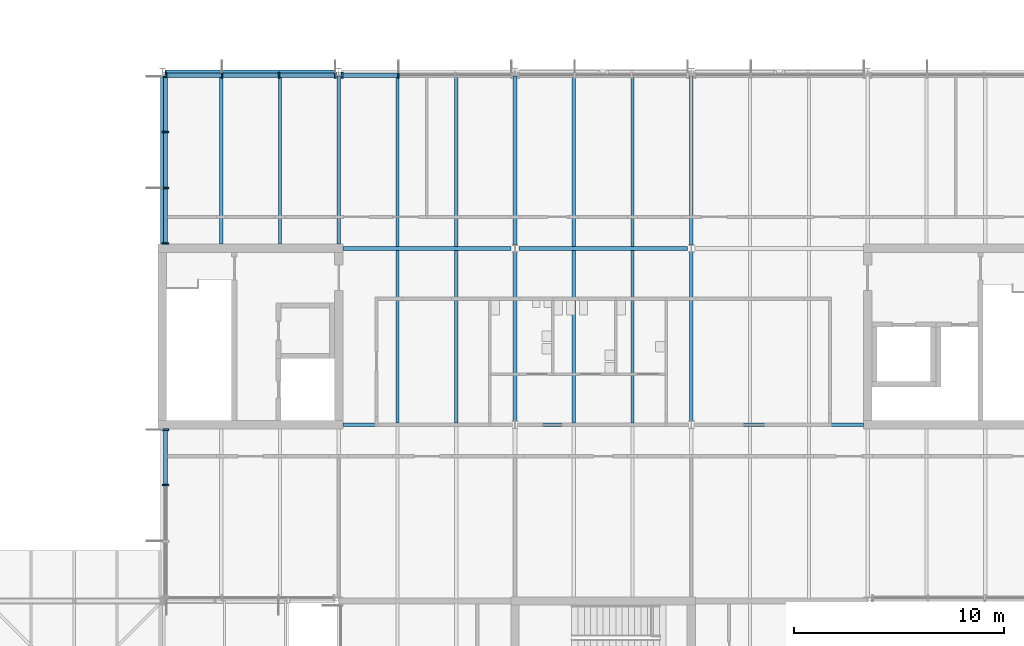
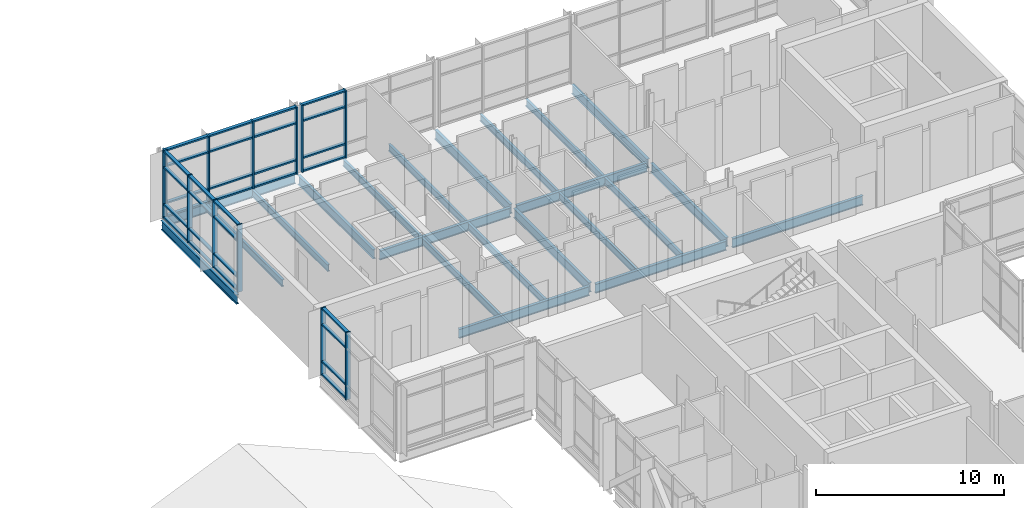
# One storey, part 24 of 76: 44 members, 22 beams, 4 elements without a shape of their own.
"""IFC4 building model written with IfcOpenShell, lengths in metres."""

from ifc_helpers import new_model, si_unit, direction, frame, origin, origin_2d, place, context, subcontext, project, spatial, rectangle, i_section, extrude, material, material_profile, profile_set, type_object, element, aggregate, save


model = new_model("IFC4")

# Units and contexts
model_context = context("Model", 3, precision=1e-05, world=origin(), true_north=direction((0.0, 1.0)))
body_context = subcontext(model_context, "Body", "Model", "MODEL_VIEW")
ifc_project = project(units=[si_unit("LENGTHUNIT", "METRE"), si_unit("AREAUNIT", "SQUARE_METRE"), si_unit("VOLUMEUNIT", "CUBIC_METRE"), si_unit("PLANEANGLEUNIT", "RADIAN"), si_unit("MASSUNIT", "GRAM", prefix="KILO")], contexts=[model_context])

# Site, building, storey
site_placement = place(None, origin())
site = spatial("IfcSite", under=ifc_project, at=site_placement, CompositionType="ELEMENT")
building_placement = place(site_placement, origin())
building = spatial("IfcBuilding", under=site, at=building_placement, Name="Hlaing Beacon Police Headquarters", CompositionType="ELEMENT")
storey_placement = place(building_placement, frame((0.0, 0.0, 18.89990234375)))
storey = spatial("IfcBuildingStorey", under=building, at=storey_placement, Name="L04", CompositionType="ELEMENT", Elevation=18.89990234375)

# Beams
ifc_material_1 = material(Name="Steel ASTM A992 Grade 50", Category="steel")
ifc_material_profile_1 = material_profile(ifc_material_1, i_section(OverallWidth=0.177978515625, OverallDepth=0.599365234375, WebThickness=0.010009765625, FlangeThickness=0.012939453125, FilletRadius=0.012939453125, at=origin_2d()), Name="W24x55")
ifc_profile_set_1 = profile_set([ifc_material_profile_1], Name="Steel ASTM A992 Grade 50")
beam_type_1 = type_object("IfcBeamType", Name="Girder W24x55", PredefinedType="BEAM", material=ifc_profile_set_1)
beam_1_placement = place(storey_placement, frame((101.0, 75.60009765625, -0.4296875), z_axis=(1.0, 0.0, 0.0), x_axis=(0.0, 1.0, 0.0)))
element("IfcBeam", 1, at=beam_1_placement, inside=storey, type_object=beam_type_1, Name="STR-BM-L04-GX-N10-P10", PredefinedType="BEAM", context=body_context, shape_type="SweptSolid", body=[
    extrude(i_section(OverallWidth=0.177978515625, OverallDepth=0.599365234375, WebThickness=0.010009765625, FlangeThickness=0.012939453125, FilletRadius=0.012939453125, at=origin_2d()), origin(), (0.0, 0.0, 1.0), 8.014892578125),
])
beam_2_placement = place(storey_placement, frame((109.385009765625, 75.60009765625, -0.4296875), z_axis=(1.0, 0.0, 0.0), x_axis=(0.0, 1.0, 0.0)))
element("IfcBeam", 2, at=beam_2_placement, inside=storey, type_object=beam_type_1, Name="STR-BM-L04-GX-P10-Q10", PredefinedType="BEAM", context=body_context, shape_type="SweptSolid", body=[
    extrude(i_section(OverallWidth=0.177978515625, OverallDepth=0.599365234375, WebThickness=0.010009765625, FlangeThickness=0.012939453125, FilletRadius=0.012939453125, at=origin_2d()), origin(), (0.0, 0.0, 1.0), 8.030029296875),
])
beam_3_placement = place(storey_placement, frame((117.784912109375, 75.60009765625, -0.4296875), z_axis=(1.0, 0.0, 0.0), x_axis=(0.0, 1.0, 0.0)))
element("IfcBeam", 3, at=beam_3_placement, inside=storey, type_object=beam_type_1, Name="STR-BM-L04-GX-Q10-R10", PredefinedType="BEAM", context=body_context, shape_type="SweptSolid", body=[
    extrude(i_section(OverallWidth=0.177978515625, OverallDepth=0.599365234375, WebThickness=0.010009765625, FlangeThickness=0.012939453125, FilletRadius=0.012939453125, at=origin_2d()), origin(), (0.0, 0.0, 1.0), 8.01513671875),
])
beam_4_placement = place(storey_placement, frame((101.0, 84.0, -0.4296875), z_axis=(1.0, 0.0, 0.0), x_axis=(0.0, 1.0, 0.0)))
element("IfcBeam", 4, at=beam_4_placement, inside=storey, type_object=beam_type_1, Name="STR-BM-L04-GX-N11-P11", PredefinedType="BEAM", context=body_context, shape_type="SweptSolid", body=[
    extrude(i_section(OverallWidth=0.177978515625, OverallDepth=0.599365234375, WebThickness=0.010009765625, FlangeThickness=0.012939453125, FilletRadius=0.012939453125, at=origin_2d()), origin(), (0.0, 0.0, 1.0), 8.014892578125),
])
beam_5_placement = place(storey_placement, frame((109.385009765625, 84.0, -0.4296875), z_axis=(1.0, 0.0, 0.0), x_axis=(0.0, 1.0, 0.0)))
element("IfcBeam", 5, at=beam_5_placement, inside=storey, type_object=beam_type_1, Name="STR-BM-L04-GX-P11-Q11", PredefinedType="BEAM", context=body_context, shape_type="SweptSolid", body=[
    extrude(i_section(OverallWidth=0.177978515625, OverallDepth=0.599365234375, WebThickness=0.010009765625, FlangeThickness=0.012939453125, FilletRadius=0.012939453125, at=origin_2d()), origin(), (0.0, 0.0, 1.0), 8.030029296875),
])
beam_6_placement = place(storey_placement, frame((92.527099609375, 92.39990234375, -0.4296875), z_axis=(1.0, 0.0, 0.0), x_axis=(0.0, 1.0, 0.0)))
element("IfcBeam", 6, at=beam_6_placement, inside=storey, type_object=beam_type_1, Name="STR-BM-L04-GX-M12-N12", PredefinedType="BEAM", context=body_context, shape_type="SweptSolid", body=[
    extrude(i_section(OverallWidth=0.177978515625, OverallDepth=0.599365234375, WebThickness=0.010009765625, FlangeThickness=0.012939453125, FilletRadius=0.012939453125, at=origin_2d()), origin(), (0.0, 0.0, 1.0), 8.14501953125),
])
beam_7_placement = place(storey_placement, frame((92.39990234375, 84.199951171875, -0.4296875), z_axis=(0.0, 1.0, 0.0), x_axis=(-1.0, 0.0, 0.0)))
element("IfcBeam", 7, at=beam_7_placement, inside=storey, type_object=beam_type_1, Name="STR-BM-L04-GY-M11-M12", PredefinedType="BEAM", context=body_context, shape_type="SweptSolid", body=[
    extrude(i_section(OverallWidth=0.177978515625, OverallDepth=0.599365234375, WebThickness=0.010009765625, FlangeThickness=0.012939453125, FilletRadius=0.012939453125, at=origin_2d()), origin(), (0.0, 0.0, 1.0), 8.02294921875),
])
beam_8_placement = place(storey_placement, frame((100.800048828125, 84.199951171875, -0.4296875), z_axis=(0.0, 1.0, 0.0), x_axis=(-1.0, 0.0, 0.0)))
element("IfcBeam", 8, at=beam_8_placement, inside=storey, type_object=beam_type_1, Name="STR-BM-L04-GY-N11-N12", PredefinedType="BEAM", context=body_context, shape_type="SweptSolid", body=[
    extrude(i_section(OverallWidth=0.177978515625, OverallDepth=0.599365234375, WebThickness=0.010009765625, FlangeThickness=0.012939453125, FilletRadius=0.012939453125, at=origin_2d()), origin(), (0.0, 0.0, 1.0), 8.02001953125),
])
beam_9_placement = place(storey_placement, frame((109.199951171875, 75.781982421875, -0.4296875), z_axis=(0.0, 1.0, 0.0), x_axis=(-1.0, 0.0, 0.0)))
element("IfcBeam", 9, at=beam_9_placement, inside=storey, type_object=beam_type_1, Name="STR-BM-L04-GY-P10-P11", PredefinedType="BEAM", context=body_context, shape_type="SweptSolid", body=[
    extrude(i_section(OverallWidth=0.177978515625, OverallDepth=0.599365234375, WebThickness=0.010009765625, FlangeThickness=0.012939453125, FilletRadius=0.012939453125, at=origin_2d()), origin(), (0.0, 0.0, 1.0), 8.0361328125),
])
beam_10_placement = place(storey_placement, frame((109.199951171875, 84.181884765625, -0.4296875), z_axis=(0.0, 1.0, 0.0), x_axis=(-1.0, 0.0, 0.0)))
element("IfcBeam", 10, at=beam_10_placement, inside=storey, type_object=beam_type_1, Name="STR-BM-L04-GY-P11-P12", PredefinedType="BEAM", context=body_context, shape_type="SweptSolid", body=[
    extrude(i_section(OverallWidth=0.177978515625, OverallDepth=0.599365234375, WebThickness=0.010009765625, FlangeThickness=0.012939453125, FilletRadius=0.012939453125, at=origin_2d()), origin(), (0.0, 0.0, 1.0), 8.0380859375),
])
beam_11_placement = place(storey_placement, frame((117.60009765625, 75.781982421875, -0.4296875), z_axis=(0.0, 1.0, 0.0), x_axis=(-1.0, 0.0, 0.0)))
element("IfcBeam", 11, at=beam_11_placement, inside=storey, type_object=beam_type_1, Name="STR-BM-L04-GY-Q10-Q11", PredefinedType="BEAM", context=body_context, shape_type="SweptSolid", body=[
    extrude(i_section(OverallWidth=0.177978515625, OverallDepth=0.599365234375, WebThickness=0.010009765625, FlangeThickness=0.012939453125, FilletRadius=0.012939453125, at=origin_2d()), origin(), (0.0, 0.0, 1.0), 8.0361328125),
])
beam_12_placement = place(storey_placement, frame((117.60009765625, 84.181884765625, -0.4296875), z_axis=(0.0, 1.0, 0.0), x_axis=(-1.0, 0.0, 0.0)))
element("IfcBeam", 12, at=beam_12_placement, inside=storey, type_object=beam_type_1, Name="STR-BM-L04-GY-Q11-Q12", PredefinedType="BEAM", context=body_context, shape_type="SweptSolid", body=[
    extrude(i_section(OverallWidth=0.177978515625, OverallDepth=0.599365234375, WebThickness=0.010009765625, FlangeThickness=0.012939453125, FilletRadius=0.012939453125, at=origin_2d()), origin(), (0.0, 0.0, 1.0), 8.0380859375),
])

# Curtain wall, members
ifc_material_2 = material(Name="Aluminium frame with solar control glazing", Category="aluminium")
curtain_wall_type_1 = type_object("IfcCurtainWallType", Name="Structural glazed gable wall 8.14 x 4.37", PredefinedType="NOTDEFINED", material=ifc_material_2)
curtain_wall_1_placement = place(storey_placement, origin())
curtain_wall_1 = element("IfcCurtainWall", 13, at=curtain_wall_1_placement, inside=storey, type_object=curtain_wall_type_1, Name="ENV-CW-L04-N014", PredefinedType="NOTDEFINED")
ifc_material_3 = material(Name="Aluminium", Category="aluminium")
ifc_material_profile_2 = material_profile(ifc_material_3, rectangle(XDim=0.300048828125, YDim=0.080078125, at=origin_2d()), Name="Mullion 80x300")
ifc_profile_set_2 = profile_set([ifc_material_profile_2], Name="Aluminium")
member_type_1 = type_object("IfcMemberType", Name="Mullion 80x300", PredefinedType="MULLION", material=ifc_profile_set_2)
member_1_placement = place(storey_placement, frame((103.641845703125, 92.25, 0.0), z_axis=(0.0, 0.0, 1.0), x_axis=(0.0, -1.0, 0.0)))
member_1 = element("IfcMember", 14, at=member_1_placement, type_object=member_type_1, Name="CW-L04-N014 mullion 3", PredefinedType="MULLION", context=body_context, shape_type="SweptSolid", body=[
    extrude(rectangle(XDim=0.300048828125, YDim=0.080078125, at=origin_2d()), origin(), (0.0, 0.0, 1.0), 4.3701171875),
])
member_2_placement = place(storey_placement, frame((100.967041015625, 92.25, 0.0), z_axis=(0.0, 0.0, 1.0), x_axis=(0.0, -1.0, 0.0)))
member_2 = element("IfcMember", 15, at=member_2_placement, type_object=member_type_1, Name="CW-L04-N014 mullion 4", PredefinedType="MULLION", context=body_context, shape_type="SweptSolid", body=[
    extrude(rectangle(XDim=0.300048828125, YDim=0.080078125, at=origin_2d()), origin(), (0.0, 0.0, 1.0), 4.3701171875),
])

ifc_material_4 = material(Name="Aluminium frame with solar control glazing", Category="aluminium")
curtain_wall_type_2 = type_object("IfcCurtainWallType", Name="Structural glazed gable wall 8.15 x 4.37", PredefinedType="NOTDEFINED", material=ifc_material_4)
curtain_wall_2_placement = place(storey_placement, origin())
curtain_wall_2 = element("IfcCurtainWall", 16, at=curtain_wall_2_placement, inside=storey, type_object=curtain_wall_type_2, Name="ENV-CW-L04-N015", PredefinedType="NOTDEFINED")
member_3_placement = place(storey_placement, frame((100.633056640625, 92.25, 0.0), z_axis=(0.0, 0.0, 1.0), x_axis=(0.0, -1.0, 0.0)))
member_3 = element("IfcMember", 17, at=member_3_placement, type_object=member_type_1, Name="CW-L04-N015 mullion 1", PredefinedType="MULLION", context=body_context, shape_type="SweptSolid", body=[
    extrude(rectangle(XDim=0.300048828125, YDim=0.080078125, at=origin_2d()), origin(), (0.0, 0.0, 1.0), 4.3701171875),
])
member_4_placement = place(storey_placement, frame((97.957763671875, 92.25, 0.0), z_axis=(0.0, 0.0, 1.0), x_axis=(0.0, -1.0, 0.0)))
member_4 = element("IfcMember", 18, at=member_4_placement, type_object=member_type_1, Name="CW-L04-N015 mullion 2", PredefinedType="MULLION", context=body_context, shape_type="SweptSolid", body=[
    extrude(rectangle(XDim=0.300048828125, YDim=0.080078125, at=origin_2d()), origin(), (0.0, 0.0, 1.0), 4.3701171875),
])
member_5_placement = place(storey_placement, frame((95.242431640625, 92.25, 0.0), z_axis=(0.0, 0.0, 1.0), x_axis=(0.0, -1.0, 0.0)))
member_5 = element("IfcMember", 19, at=member_5_placement, type_object=member_type_1, Name="CW-L04-N015 mullion 3", PredefinedType="MULLION", context=body_context, shape_type="SweptSolid", body=[
    extrude(rectangle(XDim=0.300048828125, YDim=0.080078125, at=origin_2d()), origin(), (0.0, 0.0, 1.0), 4.3701171875),
])
member_6_placement = place(storey_placement, frame((92.56689453125, 92.25, 0.0), z_axis=(0.0, 0.0, 1.0), x_axis=(0.0, -1.0, 0.0)))
member_6 = element("IfcMember", 20, at=member_6_placement, type_object=member_type_1, Name="CW-L04-N015 mullion 4", PredefinedType="MULLION", context=body_context, shape_type="SweptSolid", body=[
    extrude(rectangle(XDim=0.300048828125, YDim=0.080078125, at=origin_2d()), origin(), (0.0, 0.0, 1.0), 4.3701171875),
])

ifc_material_5 = material(Name="Aluminium frame with solar control glazing", Category="aluminium")
curtain_wall_type_3 = type_object("IfcCurtainWallType", Name="Structural glazed gable wall 8.02 x 4.37", PredefinedType="NOTDEFINED", material=ifc_material_5)
curtain_wall_3_placement = place(storey_placement, origin())
curtain_wall_3 = element("IfcCurtainWall", 21, at=curtain_wall_3_placement, inside=storey, type_object=curtain_wall_type_3, Name="ENV-CW-L04-W016", PredefinedType="NOTDEFINED")
member_7_placement = place(storey_placement, frame((92.550048828125, 92.18359375, 0.0), z_axis=(0.0, 0.0, 1.0), x_axis=(1.0, 0.0, 0.0)))
member_7 = element("IfcMember", 22, at=member_7_placement, type_object=member_type_1, Name="CW-L04-W016 mullion 1", PredefinedType="MULLION", context=body_context, shape_type="SweptSolid", body=[
    extrude(rectangle(XDim=0.300048828125, YDim=0.080078125, at=origin_2d()), origin(), (0.0, 0.0, 1.0), 4.3701171875),
])
member_8_placement = place(storey_placement, frame((92.550048828125, 89.549072265625, 0.0), z_axis=(0.0, 0.0, 1.0), x_axis=(1.0, 0.0, 0.0)))
member_8 = element("IfcMember", 23, at=member_8_placement, type_object=member_type_1, Name="CW-L04-W016 mullion 2", PredefinedType="MULLION", context=body_context, shape_type="SweptSolid", body=[
    extrude(rectangle(XDim=0.300048828125, YDim=0.080078125, at=origin_2d()), origin(), (0.0, 0.0, 1.0), 4.3701171875),
])
member_9_placement = place(storey_placement, frame((92.550048828125, 86.87451171875, 0.0), z_axis=(0.0, 0.0, 1.0), x_axis=(1.0, 0.0, 0.0)))
member_9 = element("IfcMember", 24, at=member_9_placement, type_object=member_type_1, Name="CW-L04-W016 mullion 3", PredefinedType="MULLION", context=body_context, shape_type="SweptSolid", body=[
    extrude(rectangle(XDim=0.300048828125, YDim=0.080078125, at=origin_2d()), origin(), (0.0, 0.0, 1.0), 4.3701171875),
])
member_10_placement = place(storey_placement, frame((92.550048828125, 84.239990234375, 0.0), z_axis=(0.0, 0.0, 1.0), x_axis=(1.0, 0.0, 0.0)))
member_10 = element("IfcMember", 25, at=member_10_placement, type_object=member_type_1, Name="CW-L04-W016 mullion 4", PredefinedType="MULLION", context=body_context, shape_type="SweptSolid", body=[
    extrude(rectangle(XDim=0.300048828125, YDim=0.080078125, at=origin_2d()), origin(), (0.0, 0.0, 1.0), 4.3701171875),
])

curtain_wall_4_placement = place(storey_placement, origin())
curtain_wall_4 = element("IfcCurtainWall", 26, at=curtain_wall_4_placement, inside=storey, type_object=curtain_wall_type_3, Name="ENV-CW-L04-W017", PredefinedType="NOTDEFINED")
member_11_placement = place(storey_placement, frame((92.550048828125, 75.360107421875, 0.0), z_axis=(0.0, 0.0, 1.0), x_axis=(1.0, 0.0, 0.0)))
member_11 = element("IfcMember", 27, at=member_11_placement, type_object=member_type_1, Name="CW-L04-W017 mullion 1", PredefinedType="MULLION", context=body_context, shape_type="SweptSolid", body=[
    extrude(rectangle(XDim=0.300048828125, YDim=0.080078125, at=origin_2d()), origin(), (0.0, 0.0, 1.0), 4.3701171875),
])
member_12_placement = place(storey_placement, frame((92.550048828125, 72.7255859375, 0.0), z_axis=(0.0, 0.0, 1.0), x_axis=(1.0, 0.0, 0.0)))
member_12 = element("IfcMember", 28, at=member_12_placement, type_object=member_type_1, Name="CW-L04-W017 mullion 2", PredefinedType="MULLION", context=body_context, shape_type="SweptSolid", body=[
    extrude(rectangle(XDim=0.300048828125, YDim=0.080078125, at=origin_2d()), origin(), (0.0, 0.0, 1.0), 4.3701171875),
])

# Beams
ifc_material_6 = material(Name="Steel ASTM A992 Grade 50", Category="steel")
ifc_material_profile_3 = material_profile(ifc_material_6, i_section(OverallWidth=0.15234375, OverallDepth=0.449462890625, WebThickness=0.007568359375, FlangeThickness=0.0107421875, FilletRadius=0.01025390625, at=origin_2d()), Name="W18x35")
ifc_profile_set_3 = profile_set([ifc_material_profile_3], Name="Steel ASTM A992 Grade 50")
beam_type_2 = type_object("IfcBeamType", Name="Secondary beam W18x35", PredefinedType="BEAM", material=ifc_profile_set_3)
for number, where, z_axis, x_axis, name in (
    (29, (95.199951171875, 84.199951171875, -0.354736328125), (0.0, 1.0, 0.0), (-1.0, 0.0, 0.0), "STR-BM-L04-SB-M11-y1"),
    (30, (98.0, 84.199951171875, -0.354736328125), (0.0, 1.0, 0.0), (-1.0, 0.0, 0.0), "STR-BM-L04-SB-M11-y2"),
):
    element("IfcBeam", number, at=place(storey_placement, frame(where, z_axis=z_axis, x_axis=x_axis)), inside=storey, type_object=beam_type_2, Name=name, PredefinedType="BEAM", context=body_context, shape_type="SweptSolid", body=[
        extrude(i_section(OverallWidth=0.15234375, OverallDepth=0.449462890625, WebThickness=0.007568359375, FlangeThickness=0.0107421875, FilletRadius=0.01025390625, at=origin_2d()), origin(), (0.0, 0.0, 1.0), 8.111083984375),
    ])
for number, where, z_axis, x_axis, name in (
    (31, (103.60009765625, 75.68896484375, -0.354736328125), (0.0, 1.0, 0.0), (-1.0, 0.0, 0.0), "STR-BM-L04-SB-N10-y1"),
    (32, (106.39990234375, 75.68896484375, -0.354736328125), (0.0, 1.0, 0.0), (-1.0, 0.0, 0.0), "STR-BM-L04-SB-N10-y2"),
    (33, (103.60009765625, 84.089111328125, -0.354736328125), (0.0, 1.0, 0.0), (-1.0, 0.0, 0.0), "STR-BM-L04-SB-N11-y1"),
    (34, (106.39990234375, 84.089111328125, -0.354736328125), (0.0, 1.0, 0.0), (-1.0, 0.0, 0.0), "STR-BM-L04-SB-N11-y2"),
    (35, (112.0, 75.68896484375, -0.354736328125), (0.0, 1.0, 0.0), (-1.0, 0.0, 0.0), "STR-BM-L04-SB-P10-y1"),
    (36, (114.800048828125, 75.68896484375, -0.354736328125), (0.0, 1.0, 0.0), (-1.0, 0.0, 0.0), "STR-BM-L04-SB-P10-y2"),
):
    element("IfcBeam", number, at=place(storey_placement, frame(where, z_axis=z_axis, x_axis=x_axis)), inside=storey, type_object=beam_type_2, Name=name, PredefinedType="BEAM", context=body_context, shape_type="SweptSolid", body=[
        extrude(i_section(OverallWidth=0.15234375, OverallDepth=0.449462890625, WebThickness=0.007568359375, FlangeThickness=0.0107421875, FilletRadius=0.01025390625, at=origin_2d()), origin(), (0.0, 0.0, 1.0), 8.221923828125),
    ])
for number, where, z_axis, x_axis, name in (
    (37, (112.0, 84.089111328125, -0.354736328125), (0.0, 1.0, 0.0), (-1.0, 0.0, 0.0), "STR-BM-L04-SB-P11-y1"),
    (38, (114.800048828125, 84.089111328125, -0.354736328125), (0.0, 1.0, 0.0), (-1.0, 0.0, 0.0), "STR-BM-L04-SB-P11-y2"),
):
    element("IfcBeam", number, at=place(storey_placement, frame(where, z_axis=z_axis, x_axis=x_axis)), inside=storey, type_object=beam_type_2, Name=name, PredefinedType="BEAM", context=body_context, shape_type="SweptSolid", body=[
        extrude(i_section(OverallWidth=0.15234375, OverallDepth=0.449462890625, WebThickness=0.007568359375, FlangeThickness=0.0107421875, FilletRadius=0.01025390625, at=origin_2d()), origin(), (0.0, 0.0, 1.0), 8.19677734375),
    ])

# Member
ifc_material_7 = material(Name="Aluminium", Category="aluminium")
ifc_material_profile_4 = material_profile(ifc_material_7, rectangle(XDim=0.199951171875, YDim=0.10009765625, at=origin_2d()), Name="Transom 200x100")
ifc_profile_set_4 = profile_set([ifc_material_profile_4], Name="Aluminium")
member_type_2 = type_object("IfcMemberType", Name="Transom 200x100", PredefinedType="USERDEFINED", material=ifc_profile_set_4)
member_13_placement = place(storey_placement, frame((103.601806640625, 92.25, 0.050048828125), z_axis=(-1.0, 0.0, 0.0), x_axis=(0.0, -1.0, 0.0)))
member_13 = element("IfcMember", 39, at=member_13_placement, type_object=member_type_2, Name="CW-L04-N014 transom 3.1", ObjectType="TRANSOM", PredefinedType="USERDEFINED", context=body_context, shape_type="SweptSolid", body=[
    extrude(rectangle(XDim=0.199951171875, YDim=0.10009765625, at=origin_2d()), origin(), (0.0, 0.0, 1.0), 2.5947265625),
])

member_14_placement = place(storey_placement, frame((103.601806640625, 92.25, 0.900146484375), z_axis=(-1.0, 0.0, 0.0), x_axis=(0.0, -1.0, 0.0)))
member_14 = element("IfcMember", 40, at=member_14_placement, type_object=member_type_2, Name="CW-L04-N014 transom 3.2", ObjectType="TRANSOM", PredefinedType="USERDEFINED", context=body_context, shape_type="SweptSolid", body=[
    extrude(rectangle(XDim=0.199951171875, YDim=0.10009765625, at=origin_2d()), origin(), (0.0, 0.0, 1.0), 2.5947265625),
])

member_15_placement = place(storey_placement, frame((103.601806640625, 92.25, 3.300048828125), z_axis=(-1.0, 0.0, 0.0), x_axis=(0.0, -1.0, 0.0)))
member_15 = element("IfcMember", 41, at=member_15_placement, type_object=member_type_2, Name="CW-L04-N014 transom 3.3", ObjectType="TRANSOM", PredefinedType="USERDEFINED", context=body_context, shape_type="SweptSolid", body=[
    extrude(rectangle(XDim=0.199951171875, YDim=0.10009765625, at=origin_2d()), origin(), (0.0, 0.0, 1.0), 2.5947265625),
])

member_16_placement = place(storey_placement, frame((103.601806640625, 92.25, 4.320068359375), z_axis=(-1.0, 0.0, 0.0), x_axis=(0.0, -1.0, 0.0)))
member_16 = element("IfcMember", 42, at=member_16_placement, type_object=member_type_2, Name="CW-L04-N014 transom 3.4", ObjectType="TRANSOM", PredefinedType="USERDEFINED", context=body_context, shape_type="SweptSolid", body=[
    extrude(rectangle(XDim=0.199951171875, YDim=0.10009765625, at=origin_2d()), origin(), (0.0, 0.0, 1.0), 2.5947265625),
])

aggregate(curtain_wall_1, [member_1, member_2, member_13, member_14, member_15, member_16])

member_17_placement = place(storey_placement, frame((100.593017578125, 92.25, 0.050048828125), z_axis=(-1.0, 0.0, 0.0), x_axis=(0.0, -1.0, 0.0)))
member_17 = element("IfcMember", 43, at=member_17_placement, type_object=member_type_2, Name="CW-L04-N015 transom 1.1", ObjectType="TRANSOM", PredefinedType="USERDEFINED", context=body_context, shape_type="SweptSolid", body=[
    extrude(rectangle(XDim=0.199951171875, YDim=0.10009765625, at=origin_2d()), origin(), (0.0, 0.0, 1.0), 2.595458984375),
])

member_18_placement = place(storey_placement, frame((100.593017578125, 92.25, 0.900146484375), z_axis=(-1.0, 0.0, 0.0), x_axis=(0.0, -1.0, 0.0)))
member_18 = element("IfcMember", 44, at=member_18_placement, type_object=member_type_2, Name="CW-L04-N015 transom 1.2", ObjectType="TRANSOM", PredefinedType="USERDEFINED", context=body_context, shape_type="SweptSolid", body=[
    extrude(rectangle(XDim=0.199951171875, YDim=0.10009765625, at=origin_2d()), origin(), (0.0, 0.0, 1.0), 2.595458984375),
])

member_19_placement = place(storey_placement, frame((100.593017578125, 92.25, 3.300048828125), z_axis=(-1.0, 0.0, 0.0), x_axis=(0.0, -1.0, 0.0)))
member_19 = element("IfcMember", 45, at=member_19_placement, type_object=member_type_2, Name="CW-L04-N015 transom 1.3", ObjectType="TRANSOM", PredefinedType="USERDEFINED", context=body_context, shape_type="SweptSolid", body=[
    extrude(rectangle(XDim=0.199951171875, YDim=0.10009765625, at=origin_2d()), origin(), (0.0, 0.0, 1.0), 2.595458984375),
])

member_20_placement = place(storey_placement, frame((100.593017578125, 92.25, 4.320068359375), z_axis=(-1.0, 0.0, 0.0), x_axis=(0.0, -1.0, 0.0)))
member_20 = element("IfcMember", 46, at=member_20_placement, type_object=member_type_2, Name="CW-L04-N015 transom 1.4", ObjectType="TRANSOM", PredefinedType="USERDEFINED", context=body_context, shape_type="SweptSolid", body=[
    extrude(rectangle(XDim=0.199951171875, YDim=0.10009765625, at=origin_2d()), origin(), (0.0, 0.0, 1.0), 2.595458984375),
])

member_21_placement = place(storey_placement, frame((97.917724609375, 92.25, 0.050048828125), z_axis=(-1.0, 0.0, 0.0), x_axis=(0.0, -1.0, 0.0)))
member_21 = element("IfcMember", 47, at=member_21_placement, type_object=member_type_2, Name="CW-L04-N015 transom 2.1", ObjectType="TRANSOM", PredefinedType="USERDEFINED", context=body_context, shape_type="SweptSolid", body=[
    extrude(rectangle(XDim=0.199951171875, YDim=0.10009765625, at=origin_2d()), origin(), (0.0, 0.0, 1.0), 2.635498046875),
])

member_22_placement = place(storey_placement, frame((97.917724609375, 92.25, 0.900146484375), z_axis=(-1.0, 0.0, 0.0), x_axis=(0.0, -1.0, 0.0)))
member_22 = element("IfcMember", 48, at=member_22_placement, type_object=member_type_2, Name="CW-L04-N015 transom 2.2", ObjectType="TRANSOM", PredefinedType="USERDEFINED", context=body_context, shape_type="SweptSolid", body=[
    extrude(rectangle(XDim=0.199951171875, YDim=0.10009765625, at=origin_2d()), origin(), (0.0, 0.0, 1.0), 2.635498046875),
])

member_23_placement = place(storey_placement, frame((97.917724609375, 92.25, 3.300048828125), z_axis=(-1.0, 0.0, 0.0), x_axis=(0.0, -1.0, 0.0)))
member_23 = element("IfcMember", 49, at=member_23_placement, type_object=member_type_2, Name="CW-L04-N015 transom 2.3", ObjectType="TRANSOM", PredefinedType="USERDEFINED", context=body_context, shape_type="SweptSolid", body=[
    extrude(rectangle(XDim=0.199951171875, YDim=0.10009765625, at=origin_2d()), origin(), (0.0, 0.0, 1.0), 2.635498046875),
])

member_24_placement = place(storey_placement, frame((97.917724609375, 92.25, 4.320068359375), z_axis=(-1.0, 0.0, 0.0), x_axis=(0.0, -1.0, 0.0)))
member_24 = element("IfcMember", 50, at=member_24_placement, type_object=member_type_2, Name="CW-L04-N015 transom 2.4", ObjectType="TRANSOM", PredefinedType="USERDEFINED", context=body_context, shape_type="SweptSolid", body=[
    extrude(rectangle(XDim=0.199951171875, YDim=0.10009765625, at=origin_2d()), origin(), (0.0, 0.0, 1.0), 2.635498046875),
])

member_25_placement = place(storey_placement, frame((95.202392578125, 92.25, 0.050048828125), z_axis=(-1.0, 0.0, 0.0), x_axis=(0.0, -1.0, 0.0)))
member_25 = element("IfcMember", 51, at=member_25_placement, type_object=member_type_2, Name="CW-L04-N015 transom 3.1", ObjectType="TRANSOM", PredefinedType="USERDEFINED", context=body_context, shape_type="SweptSolid", body=[
    extrude(rectangle(XDim=0.199951171875, YDim=0.10009765625, at=origin_2d()), origin(), (0.0, 0.0, 1.0), 2.595458984375),
])

member_26_placement = place(storey_placement, frame((95.202392578125, 92.25, 0.900146484375), z_axis=(-1.0, 0.0, 0.0), x_axis=(0.0, -1.0, 0.0)))
member_26 = element("IfcMember", 52, at=member_26_placement, type_object=member_type_2, Name="CW-L04-N015 transom 3.2", ObjectType="TRANSOM", PredefinedType="USERDEFINED", context=body_context, shape_type="SweptSolid", body=[
    extrude(rectangle(XDim=0.199951171875, YDim=0.10009765625, at=origin_2d()), origin(), (0.0, 0.0, 1.0), 2.595458984375),
])

member_27_placement = place(storey_placement, frame((95.202392578125, 92.25, 3.300048828125), z_axis=(-1.0, 0.0, 0.0), x_axis=(0.0, -1.0, 0.0)))
member_27 = element("IfcMember", 53, at=member_27_placement, type_object=member_type_2, Name="CW-L04-N015 transom 3.3", ObjectType="TRANSOM", PredefinedType="USERDEFINED", context=body_context, shape_type="SweptSolid", body=[
    extrude(rectangle(XDim=0.199951171875, YDim=0.10009765625, at=origin_2d()), origin(), (0.0, 0.0, 1.0), 2.595458984375),
])

member_28_placement = place(storey_placement, frame((95.202392578125, 92.25, 4.320068359375), z_axis=(-1.0, 0.0, 0.0), x_axis=(0.0, -1.0, 0.0)))
member_28 = element("IfcMember", 54, at=member_28_placement, type_object=member_type_2, Name="CW-L04-N015 transom 3.4", ObjectType="TRANSOM", PredefinedType="USERDEFINED", context=body_context, shape_type="SweptSolid", body=[
    extrude(rectangle(XDim=0.199951171875, YDim=0.10009765625, at=origin_2d()), origin(), (0.0, 0.0, 1.0), 2.595458984375),
])

aggregate(curtain_wall_2, [member_3, member_4, member_5, member_6, member_17, member_18, member_19, member_20, member_21, member_22, member_23, member_24, member_25, member_26, member_27, member_28])

member_29_placement = place(storey_placement, frame((92.550048828125, 92.1435546875, 0.050048828125), z_axis=(0.0, -1.0, 0.0), x_axis=(1.0, 0.0, 0.0)))
member_29 = element("IfcMember", 55, at=member_29_placement, type_object=member_type_2, Name="CW-L04-W016 transom 1.1", ObjectType="TRANSOM", PredefinedType="USERDEFINED", context=body_context, shape_type="SweptSolid", body=[
    extrude(rectangle(XDim=0.199951171875, YDim=0.10009765625, at=origin_2d()), origin(), (0.0, 0.0, 1.0), 2.554443359375),
])

member_30_placement = place(storey_placement, frame((92.550048828125, 92.1435546875, 0.900146484375), z_axis=(0.0, -1.0, 0.0), x_axis=(1.0, 0.0, 0.0)))
member_30 = element("IfcMember", 56, at=member_30_placement, type_object=member_type_2, Name="CW-L04-W016 transom 1.2", ObjectType="TRANSOM", PredefinedType="USERDEFINED", context=body_context, shape_type="SweptSolid", body=[
    extrude(rectangle(XDim=0.199951171875, YDim=0.10009765625, at=origin_2d()), origin(), (0.0, 0.0, 1.0), 2.554443359375),
])

member_31_placement = place(storey_placement, frame((92.550048828125, 92.1435546875, 3.300048828125), z_axis=(0.0, -1.0, 0.0), x_axis=(1.0, 0.0, 0.0)))
member_31 = element("IfcMember", 57, at=member_31_placement, type_object=member_type_2, Name="CW-L04-W016 transom 1.3", ObjectType="TRANSOM", PredefinedType="USERDEFINED", context=body_context, shape_type="SweptSolid", body=[
    extrude(rectangle(XDim=0.199951171875, YDim=0.10009765625, at=origin_2d()), origin(), (0.0, 0.0, 1.0), 2.554443359375),
])

member_32_placement = place(storey_placement, frame((92.550048828125, 92.1435546875, 4.320068359375), z_axis=(0.0, -1.0, 0.0), x_axis=(1.0, 0.0, 0.0)))
member_32 = element("IfcMember", 58, at=member_32_placement, type_object=member_type_2, Name="CW-L04-W016 transom 1.4", ObjectType="TRANSOM", PredefinedType="USERDEFINED", context=body_context, shape_type="SweptSolid", body=[
    extrude(rectangle(XDim=0.199951171875, YDim=0.10009765625, at=origin_2d()), origin(), (0.0, 0.0, 1.0), 2.554443359375),
])

member_33_placement = place(storey_placement, frame((92.550048828125, 89.509033203125, 0.050048828125), z_axis=(0.0, -1.0, 0.0), x_axis=(1.0, 0.0, 0.0)))
member_33 = element("IfcMember", 59, at=member_33_placement, type_object=member_type_2, Name="CW-L04-W016 transom 2.1", ObjectType="TRANSOM", PredefinedType="USERDEFINED", context=body_context, shape_type="SweptSolid", body=[
    extrude(rectangle(XDim=0.199951171875, YDim=0.10009765625, at=origin_2d()), origin(), (0.0, 0.0, 1.0), 2.594482421875),
])

member_34_placement = place(storey_placement, frame((92.550048828125, 89.509033203125, 0.900146484375), z_axis=(0.0, -1.0, 0.0), x_axis=(1.0, 0.0, 0.0)))
member_34 = element("IfcMember", 60, at=member_34_placement, type_object=member_type_2, Name="CW-L04-W016 transom 2.2", ObjectType="TRANSOM", PredefinedType="USERDEFINED", context=body_context, shape_type="SweptSolid", body=[
    extrude(rectangle(XDim=0.199951171875, YDim=0.10009765625, at=origin_2d()), origin(), (0.0, 0.0, 1.0), 2.594482421875),
])

member_35_placement = place(storey_placement, frame((92.550048828125, 89.509033203125, 3.300048828125), z_axis=(0.0, -1.0, 0.0), x_axis=(1.0, 0.0, 0.0)))
member_35 = element("IfcMember", 61, at=member_35_placement, type_object=member_type_2, Name="CW-L04-W016 transom 2.3", ObjectType="TRANSOM", PredefinedType="USERDEFINED", context=body_context, shape_type="SweptSolid", body=[
    extrude(rectangle(XDim=0.199951171875, YDim=0.10009765625, at=origin_2d()), origin(), (0.0, 0.0, 1.0), 2.594482421875),
])

member_36_placement = place(storey_placement, frame((92.550048828125, 89.509033203125, 4.320068359375), z_axis=(0.0, -1.0, 0.0), x_axis=(1.0, 0.0, 0.0)))
member_36 = element("IfcMember", 62, at=member_36_placement, type_object=member_type_2, Name="CW-L04-W016 transom 2.4", ObjectType="TRANSOM", PredefinedType="USERDEFINED", context=body_context, shape_type="SweptSolid", body=[
    extrude(rectangle(XDim=0.199951171875, YDim=0.10009765625, at=origin_2d()), origin(), (0.0, 0.0, 1.0), 2.594482421875),
])

member_37_placement = place(storey_placement, frame((92.550048828125, 86.83447265625, 0.050048828125), z_axis=(0.0, -1.0, 0.0), x_axis=(1.0, 0.0, 0.0)))
member_37 = element("IfcMember", 63, at=member_37_placement, type_object=member_type_2, Name="CW-L04-W016 transom 3.1", ObjectType="TRANSOM", PredefinedType="USERDEFINED", context=body_context, shape_type="SweptSolid", body=[
    extrude(rectangle(XDim=0.199951171875, YDim=0.10009765625, at=origin_2d()), origin(), (0.0, 0.0, 1.0), 2.554443359375),
])

member_38_placement = place(storey_placement, frame((92.550048828125, 86.83447265625, 0.900146484375), z_axis=(0.0, -1.0, 0.0), x_axis=(1.0, 0.0, 0.0)))
member_38 = element("IfcMember", 64, at=member_38_placement, type_object=member_type_2, Name="CW-L04-W016 transom 3.2", ObjectType="TRANSOM", PredefinedType="USERDEFINED", context=body_context, shape_type="SweptSolid", body=[
    extrude(rectangle(XDim=0.199951171875, YDim=0.10009765625, at=origin_2d()), origin(), (0.0, 0.0, 1.0), 2.554443359375),
])

member_39_placement = place(storey_placement, frame((92.550048828125, 86.83447265625, 3.300048828125), z_axis=(0.0, -1.0, 0.0), x_axis=(1.0, 0.0, 0.0)))
member_39 = element("IfcMember", 65, at=member_39_placement, type_object=member_type_2, Name="CW-L04-W016 transom 3.3", ObjectType="TRANSOM", PredefinedType="USERDEFINED", context=body_context, shape_type="SweptSolid", body=[
    extrude(rectangle(XDim=0.199951171875, YDim=0.10009765625, at=origin_2d()), origin(), (0.0, 0.0, 1.0), 2.554443359375),
])

member_40_placement = place(storey_placement, frame((92.550048828125, 86.83447265625, 4.320068359375), z_axis=(0.0, -1.0, 0.0), x_axis=(1.0, 0.0, 0.0)))
member_40 = element("IfcMember", 66, at=member_40_placement, type_object=member_type_2, Name="CW-L04-W016 transom 3.4", ObjectType="TRANSOM", PredefinedType="USERDEFINED", context=body_context, shape_type="SweptSolid", body=[
    extrude(rectangle(XDim=0.199951171875, YDim=0.10009765625, at=origin_2d()), origin(), (0.0, 0.0, 1.0), 2.554443359375),
])

aggregate(curtain_wall_3, [member_7, member_8, member_9, member_10, member_29, member_30, member_31, member_32, member_33, member_34, member_35, member_36, member_37, member_38, member_39, member_40])

member_41_placement = place(storey_placement, frame((92.550048828125, 75.320068359375, 0.050048828125), z_axis=(0.0, -1.0, 0.0), x_axis=(1.0, 0.0, 0.0)))
member_41 = element("IfcMember", 67, at=member_41_placement, type_object=member_type_2, Name="CW-L04-W017 transom 1.1", ObjectType="TRANSOM", PredefinedType="USERDEFINED", context=body_context, shape_type="SweptSolid", body=[
    extrude(rectangle(XDim=0.199951171875, YDim=0.10009765625, at=origin_2d()), origin(), (0.0, 0.0, 1.0), 2.5546875),
])

member_42_placement = place(storey_placement, frame((92.550048828125, 75.320068359375, 0.900146484375), z_axis=(0.0, -1.0, 0.0), x_axis=(1.0, 0.0, 0.0)))
member_42 = element("IfcMember", 68, at=member_42_placement, type_object=member_type_2, Name="CW-L04-W017 transom 1.2", ObjectType="TRANSOM", PredefinedType="USERDEFINED", context=body_context, shape_type="SweptSolid", body=[
    extrude(rectangle(XDim=0.199951171875, YDim=0.10009765625, at=origin_2d()), origin(), (0.0, 0.0, 1.0), 2.5546875),
])

member_43_placement = place(storey_placement, frame((92.550048828125, 75.320068359375, 3.300048828125), z_axis=(0.0, -1.0, 0.0), x_axis=(1.0, 0.0, 0.0)))
member_43 = element("IfcMember", 69, at=member_43_placement, type_object=member_type_2, Name="CW-L04-W017 transom 1.3", ObjectType="TRANSOM", PredefinedType="USERDEFINED", context=body_context, shape_type="SweptSolid", body=[
    extrude(rectangle(XDim=0.199951171875, YDim=0.10009765625, at=origin_2d()), origin(), (0.0, 0.0, 1.0), 2.5546875),
])

member_44_placement = place(storey_placement, frame((92.550048828125, 75.320068359375, 4.320068359375), z_axis=(0.0, -1.0, 0.0), x_axis=(1.0, 0.0, 0.0)))
member_44 = element("IfcMember", 70, at=member_44_placement, type_object=member_type_2, Name="CW-L04-W017 transom 1.4", ObjectType="TRANSOM", PredefinedType="USERDEFINED", context=body_context, shape_type="SweptSolid", body=[
    extrude(rectangle(XDim=0.199951171875, YDim=0.10009765625, at=origin_2d()), origin(), (0.0, 0.0, 1.0), 2.5546875),
])

aggregate(curtain_wall_4, [member_11, member_12, member_41, member_42, member_43, member_44])

save(model, "model.ifc")
